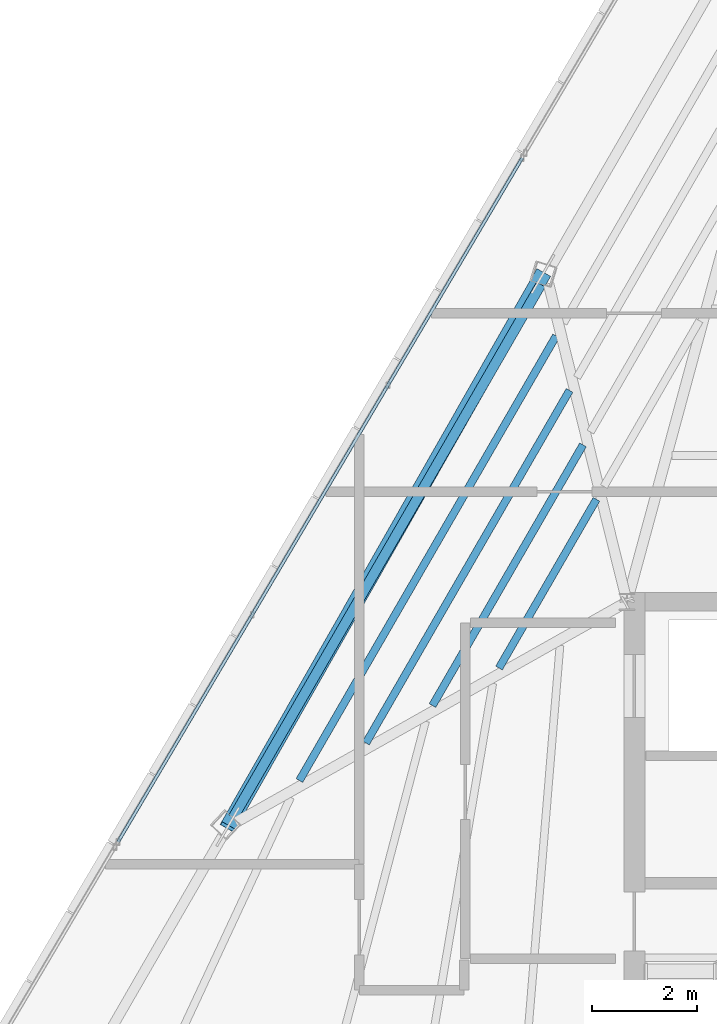
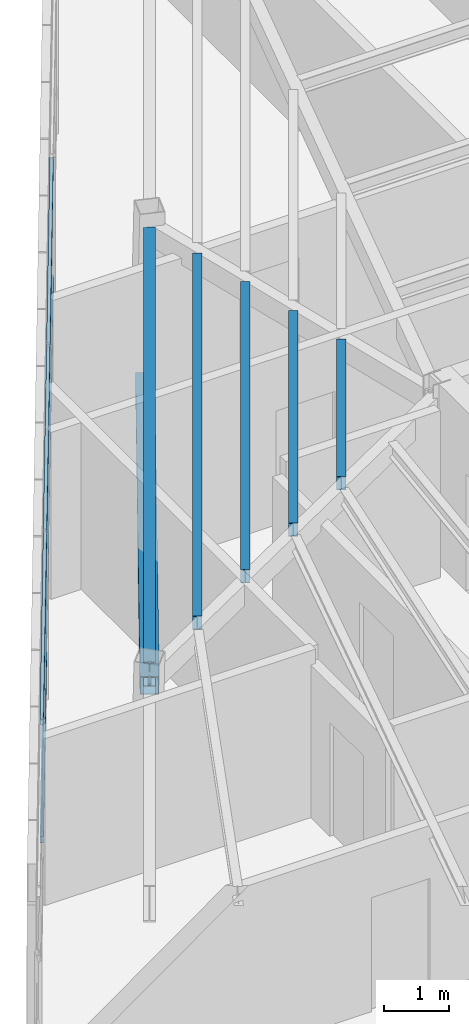
# One storey, part 18 of 44: 5 beams, 3 members, 1 element without a shape of its own.
"""IFC4 building model written with IfcOpenShell, lengths in metres."""

from ifc_helpers import new_model, si_unit, direction, frame, origin, origin_2d, place, context, subcontext, project, spatial, hollow_rectangle, i_section, extrude, source, transform, mapped, material, material_profile, profile_set, type_object, type_shapes, element, aggregate, save


model = new_model("IFC4")

# Units and contexts
model_context = context("Model", 3, precision=1e-05, world=origin(), true_north=direction((0.0, 1.0)))
body_context = subcontext(model_context, "Body", "Model", "MODEL_VIEW")
ifc_project = project(units=[si_unit("LENGTHUNIT", "METRE"), si_unit("AREAUNIT", "SQUARE_METRE"), si_unit("VOLUMEUNIT", "CUBIC_METRE"), si_unit("PLANEANGLEUNIT", "RADIAN"), si_unit("MASSUNIT", "GRAM", prefix="KILO")], contexts=[model_context])

# Site, building, storey
site_placement = place(None, origin())
site = spatial("IfcSite", under=ifc_project, at=site_placement, CompositionType="ELEMENT")
building_placement = place(site_placement, origin())
building = spatial("IfcBuilding", under=site, at=building_placement, Name="Caelisora Broadcast Tower", CompositionType="ELEMENT")
storey_placement = place(building_placement, frame((0.0, 0.0, 289.800048828125)))
storey = spatial("IfcBuildingStorey", under=building, at=storey_placement, Name="L76", CompositionType="ELEMENT", Elevation=289.800048828125)

# Beams
ifc_material_1 = material(Name="Steel Grade 350 (AS/NZS 3679.1)", Category="steel")
ifc_material_profile_1 = material_profile(ifc_material_1, i_section(OverallWidth=0.19091796875, OverallDepth=0.46044921875, WebThickness=0.010009765625, FlangeThickness=0.01611328125, at=origin_2d()), Name="Steel Grade 350 (AS/NZS 3679.1)")
ifc_profile_set_1 = profile_set([ifc_material_profile_1], Name="Steel Grade 350 (AS/NZS 3679.1)")
beam_type_1 = type_object("IfcBeamType", Name="PG06", PredefinedType="BEAM", material=ifc_profile_set_1)
shared_shape_1 = source(origin(), body_context, "Body", "SweptSolid", [
    extrude(i_section(OverallWidth=0.19091796875, OverallDepth=0.46044921875, WebThickness=0.010009765625, FlangeThickness=0.01611328125, at=origin_2d()), origin(), (0.0, 0.0, 1.0), 11.7236328125),
])
type_shapes(beam_type_1, [shared_shape_1])
beam_1_placement = place(storey_placement, frame((28.859130859375, 36.046142578125, 2.919677734375), z_axis=(-0.499995851058, -0.866027799164, 0.0), x_axis=(0.866027799164, -0.499995851058, 0.0)))
element("IfcBeam", 1, at=beam_1_placement, inside=storey, type_object=beam_type_1, Name="L76 beam PG06", PredefinedType="BEAM", context=body_context, shape_type="MappedRepresentation", body=[
    mapped(shared_shape_1, transform((0.0, 0.0, 0.0), scale=1.0)),
])
ifc_material_profile_2 = material_profile(ifc_material_1, i_section(OverallWidth=0.14599609375, OverallDepth=0.256103515625, WebThickness=0.00634765625, FlangeThickness=0.010986328125, at=origin_2d()), Name="Steel Grade 350 (AS/NZS 3679.1)")
ifc_profile_set_2 = profile_set([ifc_material_profile_2], Name="Steel Grade 350 (AS/NZS 3679.1)")
beam_type_2 = type_object("IfcBeamType", Name="SB04", PredefinedType="JOIST", material=ifc_profile_set_2)
shared_shape_2 = source(origin(), body_context, "Body", "SweptSolid", [
    extrude(i_section(OverallWidth=0.14599609375, OverallDepth=0.256103515625, WebThickness=0.00634765625, FlangeThickness=0.010986328125, at=origin_2d()), origin(), (0.0, 0.0, 1.0), 3.711669921875),
])
beam_2_placement = place(storey_placement, frame((29.9169921875, 31.952880859375, 3.02197265625), z_axis=(-0.499980579953, -0.866036615664, 0.0), x_axis=(0.866036615664, -0.499980579953, 0.0)))
element("IfcBeam", 2, at=beam_2_placement, inside=storey, type_object=beam_type_2, Name="L76 beam SB04", PredefinedType="JOIST", context=body_context, shape_type="MappedRepresentation", body=[
    mapped(shared_shape_2, transform((0.0, 0.0, 0.0), scale=1.0)),
])
shared_shape_3 = source(origin(), body_context, "Body", "SweptSolid", [
    extrude(i_section(OverallWidth=0.14599609375, OverallDepth=0.256103515625, WebThickness=0.00634765625, FlangeThickness=0.010986328125, at=origin_2d()), origin(), (0.0, 0.0, 1.0), 5.73486328125),
])
beam_3_placement = place(storey_placement, frame((29.660888671875, 32.99072265625, 3.02197265625), z_axis=(-0.499998833779, -0.866026077102, 0.0), x_axis=(0.866026077102, -0.499998833779, 0.0)))
element("IfcBeam", 3, at=beam_3_placement, inside=storey, type_object=beam_type_2, Name="L76 beam SB04", PredefinedType="JOIST", context=body_context, shape_type="MappedRepresentation", body=[
    mapped(shared_shape_3, transform((0.0, 0.0, 0.0), scale=1.0)),
])
shared_shape_4 = source(origin(), body_context, "Body", "SweptSolid", [
    extrude(i_section(OverallWidth=0.14599609375, OverallDepth=0.256103515625, WebThickness=0.00634765625, FlangeThickness=0.010986328125, at=origin_2d()), origin(), (0.0, 0.0, 1.0), 7.75830078125),
])
beam_4_placement = place(storey_placement, frame((29.40478515625, 34.0283203125, 3.02197265625), z_axis=(-0.50000756646, -0.866021035243, 0.0), x_axis=(0.866021035243, -0.50000756646, 0.0)))
element("IfcBeam", 4, at=beam_4_placement, inside=storey, type_object=beam_type_2, Name="L76 beam SB04", PredefinedType="JOIST", context=body_context, shape_type="MappedRepresentation", body=[
    mapped(shared_shape_4, transform((0.0, 0.0, 0.0), scale=1.0)),
])
shared_shape_5 = source(origin(), body_context, "Body", "SweptSolid", [
    extrude(i_section(OverallWidth=0.14599609375, OverallDepth=0.256103515625, WebThickness=0.00634765625, FlangeThickness=0.010986328125, at=origin_2d()), origin(), (0.0, 0.0, 1.0), 9.781494140625),
])
type_shapes(beam_type_2, [shared_shape_2, shared_shape_3, shared_shape_4, shared_shape_5])
beam_5_placement = place(storey_placement, frame((29.148681640625, 35.066162109375, 3.02197265625), z_axis=(-0.500012686397, -0.866018079166, 0.0), x_axis=(0.866018079166, -0.500012686397, 0.0)))
element("IfcBeam", 5, at=beam_5_placement, inside=storey, type_object=beam_type_2, Name="L76 beam SB04", PredefinedType="JOIST", context=body_context, shape_type="MappedRepresentation", body=[
    mapped(shared_shape_5, transform((0.0, 0.0, 0.0), scale=1.0)),
])

# Member
ifc_material_2 = material(Name="Steel Grade 450 (AS/NZS 1163 C450L0)", Category="steel")
ifc_material_profile_3 = material_profile(ifc_material_2, hollow_rectangle(XDim=0.300048828125, YDim=0.300048828125, WallThickness=0.012451171875, at=origin_2d()), Name="Steel Grade 450 (AS/NZS 1163 C450L0)")
ifc_profile_set_3 = profile_set([ifc_material_profile_3], Name="Steel Grade 450 (AS/NZS 1163 C450L0)")
member_type_1 = type_object("IfcMemberType", Name="BR06", PredefinedType="BRACE", material=ifc_profile_set_3)
shared_shape_6 = source(origin(), body_context, "Body", "SweptSolid", [
    extrude(hollow_rectangle(XDim=0.300048828125, YDim=0.300048828125, WallThickness=0.012451171875, at=origin_2d()), origin(), (0.0, 0.0, 1.0), 12.4326171875),
])
type_shapes(member_type_1, [shared_shape_6])
member_1_placement = place(storey_placement, frame((28.897216796875, 36.24658203125, 0.099853515625), z_axis=(-0.482918725021, -0.847267863929, 0.221193742625), x_axis=(0.868787838773, -0.495184502181, 0.0)))
element("IfcMember", 6, at=member_1_placement, inside=storey, type_object=member_type_1, Name="L76 perimeter brace BR06", PredefinedType="BRACE", context=body_context, shape_type="MappedRepresentation", body=[
    mapped(shared_shape_6, transform((0.0, 0.0, 0.0), scale=1.0)),
])

# Curtain wall, members
ifc_material_3 = material(Name="Unitised Aluminium Insulated Shadow-Box Spandrel Curtain Wall", Category="aluminium")
curtain_wall_type = type_object("IfcCurtainWallType", Name="CW-SP3", PredefinedType="NOTDEFINED", material=ifc_material_3)
curtain_wall_placement = place(storey_placement, origin())
curtain_wall = element("IfcCurtainWall", 7, at=curtain_wall_placement, inside=storey, type_object=curtain_wall_type, Name="L76 curtain wall CW-SP3", PredefinedType="NOTDEFINED")
ifc_material_4 = material(Name="Aluminium 6063-T6 Anodised Terracotta Bronze", Category="aluminium")
ifc_material_profile_4 = material_profile(ifc_material_4, hollow_rectangle(XDim=0.06005859375, YDim=0.1201171875, WallThickness=0.0029296875, at=origin_2d()), Name="Aluminium 6063-T6 Anodised Terracotta Bronze")
ifc_profile_set_4 = profile_set([ifc_material_profile_4], Name="Aluminium 6063-T6 Anodised Terracotta Bronze")
member_type_2 = type_object("IfcMemberType", Name="CWT-03", PredefinedType="USERDEFINED", material=ifc_profile_set_4)
shared_shape_7 = source(origin(), body_context, "Body", "SweptSolid", [
    extrude(hollow_rectangle(XDim=0.06005859375, YDim=0.1201171875, WallThickness=0.0029296875, at=origin_2d()), origin(), (0.0, 0.0, 1.0), 15.139892578125),
])
type_shapes(member_type_2, [shared_shape_7])
member_2_placement = place(storey_placement, frame((20.80126953125, 25.42333984375, 0.849853515625), z_axis=(0.508747783645, 0.860915612959, 0.0), x_axis=(-0.860915612959, 0.508747783645, 0.0)))
member_2 = element("IfcMember", 8, at=member_2_placement, type_object=member_type_2, Name="L76-CW-B10 transom #1", ObjectType="TRANSOM", PredefinedType="USERDEFINED", context=body_context, shape_type="MappedRepresentation", body=[
    mapped(shared_shape_7, transform((0.0, 0.0, 0.0), scale=1.0)),
])
member_3_placement = place(storey_placement, frame((20.80126953125, 25.42333984375, 3.070068359375), z_axis=(0.508747783645, 0.860915612959, 0.0), x_axis=(-0.860915612959, 0.508747783645, 0.0)))
member_3 = element("IfcMember", 9, at=member_3_placement, type_object=member_type_2, Name="L76-CW-B10 transom #2", ObjectType="TRANSOM", PredefinedType="USERDEFINED", context=body_context, shape_type="MappedRepresentation", body=[
    mapped(shared_shape_7, transform((0.0, 0.0, 0.0), scale=1.0)),
])
aggregate(curtain_wall, [member_2, member_3])

save(model, "model.ifc")
